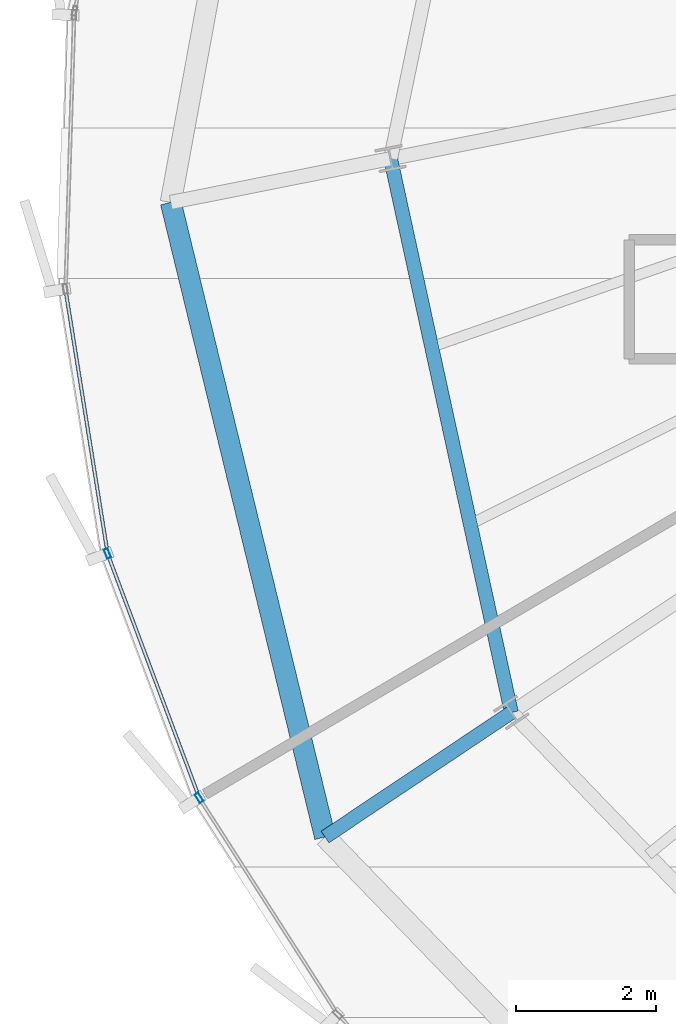
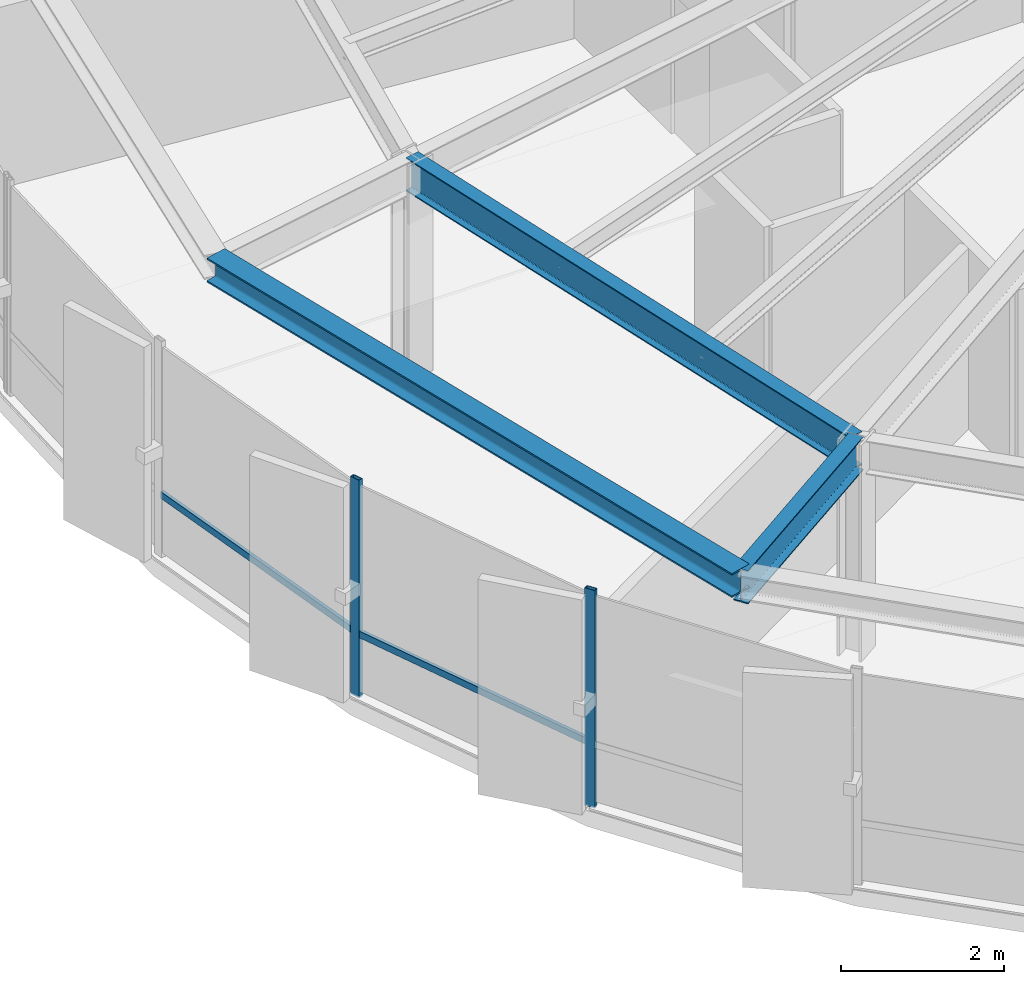
# One storey, part 4 of 34: 4 members, 3 beams, 1 element without a shape of its own.
"""IFC4 building model written with IfcOpenShell, lengths in metres."""

from ifc_helpers import new_model, si_unit, direction, frame, origin, origin_2d, place, context, subcontext, project, spatial, hollow_rectangle, i_section, extrude, source, transform, mapped, material, layer, layer_set, material_profile, profile_set, type_object, element, aggregate, save


model = new_model("IFC4")

# Units and contexts
model_context = context("Model", 3, precision=1e-05, world=origin(), true_north=direction((0.0, 1.0)))
body_context = subcontext(model_context, "Body", "Model", "MODEL_VIEW")
ifc_project = project(units=[si_unit("LENGTHUNIT", "METRE"), si_unit("AREAUNIT", "SQUARE_METRE"), si_unit("VOLUMEUNIT", "CUBIC_METRE"), si_unit("PLANEANGLEUNIT", "RADIAN"), si_unit("MASSUNIT", "GRAM", prefix="KILO"), si_unit("THERMODYNAMICTEMPERATUREUNIT", "KELVIN")], contexts=[model_context])

# Site, building, storey
site_placement = place(None, origin())
site = spatial("IfcSite", under=ifc_project, at=site_placement, CompositionType="ELEMENT")
building_placement = place(site_placement, origin())
building = spatial("IfcBuilding", under=site, at=building_placement, Name="Kethvar Cultural Tower", CompositionType="ELEMENT")
storey_placement = place(building_placement, frame((0.0, 0.0, 190.39990234375)))
storey = spatial("IfcBuildingStorey", under=building, at=storey_placement, Name="L49", CompositionType="ELEMENT", Elevation=190.39990234375)

# Beams
ifc_material_1 = material(Name="Steel S355J2", Category="steel")
ifc_material_profile_1 = material_profile(ifc_material_1, i_section(OverallWidth=0.199951171875, OverallDepth=0.5, WebThickness=0.01025390625, FlangeThickness=0.01611328125, FilletRadius=0.02099609375, at=origin_2d()), Name="Steel S355J2 — IPE500")
ifc_profile_set_1 = profile_set([ifc_material_profile_1], Name="Steel S355J2 — IPE500")
beam_type_1 = type_object("IfcBeamType", Name="BM-IPE500", PredefinedType="BEAM", material=ifc_profile_set_1)
shared_shape_1 = source(origin(), body_context, "Body", "SweptSolid", [
    extrude(i_section(OverallWidth=0.199951171875, OverallDepth=0.5, WebThickness=0.01025390625, FlangeThickness=0.01611328125, FilletRadius=0.02099609375, at=origin_2d()), origin(), (0.0, 0.0, 1.0), 3.199951171875),
])
beam_1_placement = place(storey_placement, frame((29.217529296875, 16.0517578125, 3.008056640625), z_axis=(-0.831462943996, -0.555580212716, 0.0), x_axis=(0.555580212716, -0.831462943996, 0.0)))
element("IfcBeam", 1, at=beam_1_placement, inside=storey, type_object=beam_type_1, Name="L49 Perimeter Cantilever Beam RC-10", PredefinedType="BEAM", context=body_context, shape_type="MappedRepresentation", body=[
    mapped(shared_shape_1, transform((0.0, 0.0, 0.0), scale=1.0)),
])
shared_shape_2 = source(origin(), body_context, "Body", "SweptSolid", [
    extrude(i_section(OverallWidth=0.199951171875, OverallDepth=0.5, WebThickness=0.01025390625, FlangeThickness=0.01611328125, FilletRadius=0.02099609375, at=origin_2d()), origin(), (0.0, 0.0, 1.0), 8.09375),
])
beam_2_placement = place(storey_placement, frame((27.492919921875, 23.959716796875, 3.008056640625), z_axis=(0.213077030298, -0.977035403227, 0.0), x_axis=(0.977035403227, 0.213077030298, 0.0)))
element("IfcBeam", 2, at=beam_2_placement, inside=storey, type_object=beam_type_1, Name="L49 Column Ring Tie Beam CR-09", PredefinedType="BEAM", context=body_context, shape_type="MappedRepresentation", body=[
    mapped(shared_shape_2, transform((0.0, 0.0, 0.0), scale=1.0)),
])
ifc_material_profile_2 = material_profile(ifc_material_1, i_section(OverallWidth=0.300048828125, OverallDepth=0.360107421875, WebThickness=0.012451171875, FlangeThickness=0.0224609375, FilletRadius=0.027099609375, at=origin_2d()), Name="Steel S355J2 — HEB360")
ifc_profile_set_2 = profile_set([ifc_material_profile_2], Name="Steel S355J2 — HEB360")
beam_type_2 = type_object("IfcBeamType", Name="BM-SP360", PredefinedType="SPANDREL", material=ifc_profile_set_2)
shared_shape_3 = source(origin(), body_context, "Body", "SweptSolid", [
    extrude(i_section(OverallWidth=0.300048828125, OverallDepth=0.360107421875, WebThickness=0.012451171875, FlangeThickness=0.0224609375, FilletRadius=0.027099609375, at=origin_2d()), origin(), (0.0, 0.0, 1.0), 9.3251953125),
])
beam_3_placement = place(storey_placement, frame((24.3544921875, 23.335205078125, 3.078125), z_axis=(0.236179213868, -0.97170951366, 0.0), x_axis=(0.97170951366, 0.236179213868, 0.0)))
element("IfcBeam", 3, at=beam_3_placement, inside=storey, type_object=beam_type_2, Name="L49 Perimeter Spandrel Beam SP-09", PredefinedType="SPANDREL", context=body_context, shape_type="MappedRepresentation", body=[
    mapped(shared_shape_3, transform((0.0, 0.0, 0.0), scale=1.0)),
])

# Curtain wall, members
ifc_material_2 = material(Name="Aluminium 6063-T6", Category="aluminium")
ifc_layer = layer(ifc_material_2, 0.179931640625, Name="Aluminium 6063-T6", Category="aluminium")
ifc_layer_set = layer_set([ifc_layer], Name="Aluminium 6063-T6 (180 mm)")
curtain_wall_type = type_object("IfcCurtainWallType", Name="CW-SYS-04-Z34", PredefinedType="NOTDEFINED", material=ifc_layer_set)
curtain_wall_placement = place(storey_placement, origin())
curtain_wall = element("IfcCurtainWall", 4, at=curtain_wall_placement, inside=storey, type_object=curtain_wall_type, Name="L49 Curtain Wall Run 04", PredefinedType="NOTDEFINED")
ifc_material_profile_3 = material_profile(ifc_material_2, hollow_rectangle(XDim=0.06005859375, YDim=0.139892578125, WallThickness=0.0048828125, at=origin_2d()), Name="Aluminium 6063-T6 — RHS140x60x5")
ifc_profile_set_3 = profile_set([ifc_material_profile_3], Name="Aluminium 6063-T6 — RHS140x60x5")
member_type_1 = type_object("IfcMemberType", Name="CW-SYS-04-Z34-MUL", PredefinedType="MULLION", material=ifc_profile_set_3)
shared_shape_4 = source(origin(), body_context, "Body", "SweptSolid", [
    extrude(hollow_rectangle(XDim=0.06005859375, YDim=0.139892578125, WallThickness=0.0048828125, at=origin_2d()), origin(), (0.0, 0.0, 1.0), 3.260009765625),
])
member_1_placement = place(storey_placement, frame((23.451171875, 18.322509765625, 0.0), z_axis=(0.0, 0.0, 1.0), x_axis=(0.936065676392, 0.35182531103, 0.0)))
member_1 = element("IfcMember", 5, at=member_1_placement, type_object=member_type_1, Name="CW-L49-R04 Mullion 3", PredefinedType="MULLION", context=body_context, shape_type="MappedRepresentation", body=[
    mapped(shared_shape_4, transform((0.0, 0.0, 0.0), scale=1.0)),
])
member_2_placement = place(storey_placement, frame((24.759521484375, 14.834716796875, 0.0), z_axis=(0.0, 0.0, 1.0), x_axis=(0.842358350935, 0.538917812481, 0.0)))
member_2 = element("IfcMember", 6, at=member_2_placement, type_object=member_type_1, Name="CW-L49-R04 Mullion 4", PredefinedType="MULLION", context=body_context, shape_type="MappedRepresentation", body=[
    mapped(shared_shape_4, transform((0.0, 0.0, 0.0), scale=1.0)),
])
ifc_material_profile_4 = material_profile(ifc_material_2, hollow_rectangle(XDim=0.050048828125, YDim=0.10009765625, WallThickness=0.00390625, at=origin_2d()), Name="Aluminium 6063-T6 — RHS100x50x4")
ifc_profile_set_4 = profile_set([ifc_material_profile_4], Name="Aluminium 6063-T6 — RHS100x50x4")
member_type_2 = type_object("IfcMemberType", Name="CW-SYS-04-Z34-TRN", PredefinedType="USERDEFINED", material=ifc_profile_set_4)
shared_shape_5 = source(origin(), body_context, "Body", "SweptSolid", [
    extrude(hollow_rectangle(XDim=0.050048828125, YDim=0.10009765625, WallThickness=0.00390625, at=origin_2d()), origin(), (0.0, 0.0, 1.0), 3.7587890625),
])
member_3_placement = place(storey_placement, frame((22.857421875, 22.0556640625, 0.9501953125), z_axis=(0.157633317188, -0.987497715092, 0.0), x_axis=(0.987497715092, 0.157633317188, 0.0)))
member_3 = element("IfcMember", 7, at=member_3_placement, type_object=member_type_2, Name="CW-L49-R04 Transom 2", ObjectType="TRANSOM", PredefinedType="USERDEFINED", context=body_context, shape_type="MappedRepresentation", body=[
    mapped(shared_shape_5, transform((0.0, 0.0, 0.0), scale=1.0)),
])
shared_shape_6 = source(origin(), body_context, "Body", "SweptSolid", [
    extrude(hollow_rectangle(XDim=0.050048828125, YDim=0.10009765625, WallThickness=0.00390625, at=origin_2d()), origin(), (0.0, 0.0, 1.0), 3.66162109375),
])
member_4_placement = place(storey_placement, frame((23.46630859375, 18.281982421875, 0.9501953125), z_axis=(0.351788297122, -0.936079587433, 0.0), x_axis=(0.936079587433, 0.351788297122, 0.0)))
member_4 = element("IfcMember", 8, at=member_4_placement, type_object=member_type_2, Name="CW-L49-R04 Transom 3", ObjectType="TRANSOM", PredefinedType="USERDEFINED", context=body_context, shape_type="MappedRepresentation", body=[
    mapped(shared_shape_6, transform((0.0, 0.0, 0.0), scale=1.0)),
])
aggregate(curtain_wall, [member_1, member_2, member_3, member_4])

save(model, "model.ifc")
